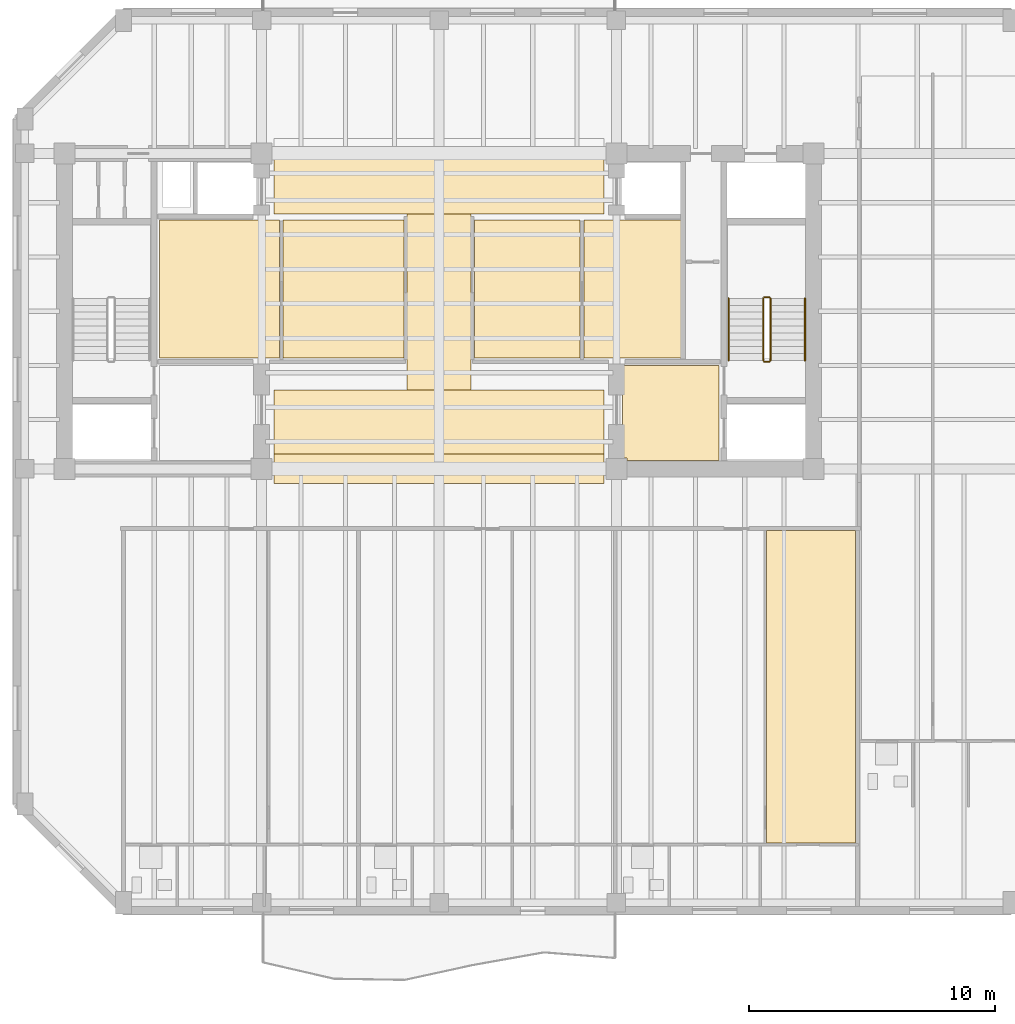
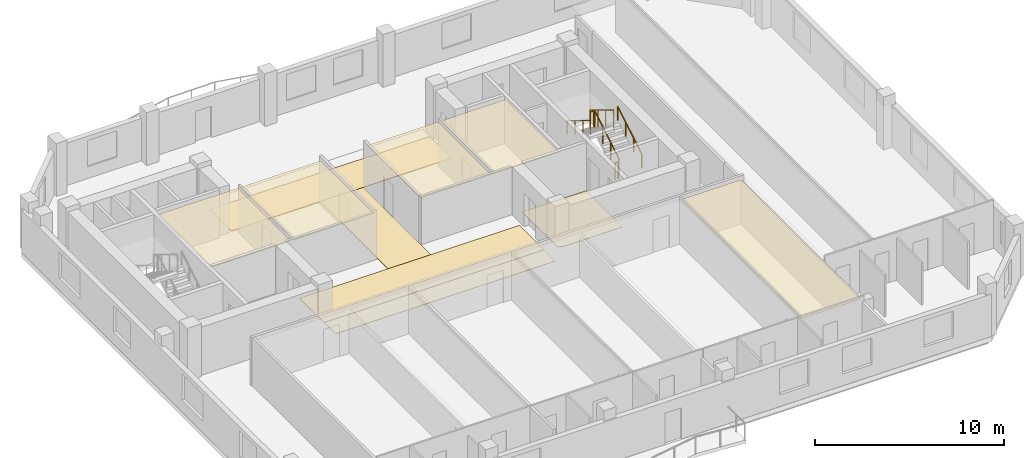
# One storey, part 7 of 9: 10 coverings, 6 railings.
"""IFC4 building model written with IfcOpenShell, lengths in metres."""

from ifc_helpers import new_model, si_unit, direction, frame, origin, origin_2d, place, context, subcontext, project, spatial, polyline, circle, outline, extrude, material, layer, layer_set, type_object, element, save


model = new_model("IFC4")

# Units and contexts
model_context = context("Model", 3, precision=1e-05, world=origin(), true_north=direction((0.0, 1.0)))
body_context = subcontext(model_context, "Body", "Model", "MODEL_VIEW")
ifc_project = project(units=[si_unit("LENGTHUNIT", "METRE"), si_unit("AREAUNIT", "SQUARE_METRE"), si_unit("VOLUMEUNIT", "CUBIC_METRE"), si_unit("PLANEANGLEUNIT", "RADIAN"), si_unit("MASSUNIT", "GRAM", prefix="KILO")], contexts=[model_context])

# Site, building, storey
site_placement = place(None, origin())
site = spatial("IfcSite", under=ifc_project, at=site_placement, CompositionType="ELEMENT")
building_placement = place(site_placement, origin())
building = spatial("IfcBuilding", under=site, at=building_placement, Name="Kranthara Brick Stack", CompositionType="ELEMENT")
storey_placement = place(building_placement, frame((0.0, 0.0, 231.300048828125)))
storey = spatial("IfcBuildingStorey", under=building, at=storey_placement, Name="L60", CompositionType="ELEMENT", Elevation=231.300048828125)

# Coverings
ifc_material_1 = material(Name="Perforated mineral-fibre acoustic ceiling tile", Category="other")
ifc_layer_1 = layer(ifc_material_1, 0.02490234375)
ifc_layer_set_1 = layer_set([ifc_layer_1], Name="Perforated mineral-fibre acoustic ceiling tile")
covering_type_1 = type_object("IfcCoveringType", Name="COV-CEIL-ACOUSTIC", PredefinedType="CEILING", material=ifc_layer_set_1)
covering_1_placement = place(storey_placement, frame((0.0, 0.0, 2.829833984375)))
element("IfcCovering", 1, at=covering_1_placement, inside=storey, type_object=covering_type_1, Name="L60 L60 Sky Club Archive Study Acoustic Ceiling", PredefinedType="CEILING", context=body_context, shape_type="SweptSolid", body=[
    extrude(outline(polyline([(21.52001953125, 25.300048828125), (21.52001953125, 30.89990234375), (16.64990234375, 30.89990234375), (16.64990234375, 25.300048828125), (21.52001953125, 25.300048828125)])), origin(), (0.0, 0.0, 1.0), 0.025146484375),
])
covering_2_placement = place(storey_placement, frame((0.0, 0.0, 2.829833984375)))
element("IfcCovering", 2, at=covering_2_placement, inside=storey, type_object=covering_type_1, Name="L60 L60 Sky Club Lounge Salon Acoustic Ceiling", PredefinedType="CEILING", context=body_context, shape_type="SweptSolid", body=[
    extrude(outline(polyline([(26.570068359375, 25.300048828125), (26.570068359375, 30.89990234375), (21.679931640625, 30.89990234375), (21.679931640625, 25.300048828125), (26.570068359375, 25.300048828125)])), origin(), (0.0, 0.0, 1.0), 0.025146484375),
])
covering_3_placement = place(storey_placement, frame((0.0, 0.0, 2.829833984375)))
element("IfcCovering", 3, at=covering_3_placement, inside=storey, type_object=covering_type_1, Name="L60 L60 Sky Club Sky Salon Acoustic Ceiling", PredefinedType="CEILING", context=body_context, shape_type="SweptSolid", body=[
    extrude(outline(polyline([(33.719970703125, 25.300048828125), (33.719970703125, 30.89990234375), (29.429931640625, 30.89990234375), (29.429931640625, 25.300048828125), (33.719970703125, 25.300048828125)])), origin(), (0.0, 0.0, 1.0), 0.025146484375),
])
covering_4_placement = place(storey_placement, frame((0.0, 0.0, 2.829833984375)))
element("IfcCovering", 4, at=covering_4_placement, inside=storey, type_object=covering_type_1, Name="L60 L60 Sky Club Wine Tasting Room Acoustic Ceiling", PredefinedType="CEILING", context=body_context, shape_type="SweptSolid", body=[
    extrude(outline(polyline([(37.8798828125, 25.300048828125), (37.8798828125, 30.89990234375), (33.8798828125, 30.89990234375), (33.8798828125, 25.300048828125), (37.8798828125, 25.300048828125)])), origin(), (0.0, 0.0, 1.0), 0.025146484375),
])
covering_5_placement = place(storey_placement, frame((0.0, 0.0, 2.829833984375)))
element("IfcCovering", 5, at=covering_5_placement, inside=storey, type_object=covering_type_1, Name="L60 Unit L60C Private Study Room Acoustic Ceiling", PredefinedType="CEILING", context=body_context, shape_type="SweptSolid", body=[
    extrude(outline(polyline([(44.89990234375, 5.6298828125), (44.89990234375, 18.300048828125), (41.277099609375, 18.300048828125), (41.277099609375, 5.6298828125), (44.89990234375, 5.6298828125)])), origin(), (0.0, 0.0, 1.0), 0.025146484375),
])
ifc_material_2 = material(Name="Honed terrazzo and porcelain floor finish", Category="stone")
ifc_layer_2 = layer(ifc_material_2, 0.030029296875)
ifc_layer_set_2 = layer_set([ifc_layer_2], Name="Honed terrazzo and porcelain floor finish")
covering_type_2 = type_object("IfcCoveringType", Name="COV-FLOR-STONE", PredefinedType="FLOORING", material=ifc_layer_set_2)
covering_6_placement = place(storey_placement, origin())
element("IfcCovering", 6, at=covering_6_placement, inside=storey, type_object=covering_type_2, Name="L60 Lift Lobby Stone Flooring", PredefinedType="FLOORING", context=body_context, shape_type="SweptSolid", body=[
    extrude(outline(polyline([(35.449951171875, 25.0), (39.35009765625, 25.0), (39.35009765625, 21.14990234375), (35.635009765625, 21.14990234375), (35.635009765625, 21.235107421875), (35.449951171875, 21.235107421875), (35.449951171875, 25.0)])), origin(), (0.0, 0.0, 1.0), 0.030029296875),
])
covering_7_placement = place(storey_placement, origin())
element("IfcCovering", 7, at=covering_7_placement, inside=storey, type_object=covering_type_2, Name="L60 Lift Lobby Stone Flooring", PredefinedType="FLOORING", context=body_context, shape_type="SweptSolid", body=[
    extrude(outline(polyline([(34.699951171875, 21.39990234375), (34.699951171875, 24.0), (21.300048828125, 24.0), (21.300048828125, 21.39990234375), (34.699951171875, 21.39990234375)])), origin(), (0.0, 0.0, 1.0), 0.030029296875),
])
covering_8_placement = place(storey_placement, origin())
element("IfcCovering", 8, at=covering_8_placement, inside=storey, type_object=covering_type_2, Name="L60 Lift Lobby Stone Flooring", PredefinedType="FLOORING", context=body_context, shape_type="SweptSolid", body=[
    extrude(outline(polyline([(34.699951171875, 31.14990234375), (34.699951171875, 33.449951171875), (21.300048828125, 33.449951171875), (21.300048828125, 31.14990234375), (34.699951171875, 31.14990234375)])), origin(), (0.0, 0.0, 1.0), 0.030029296875),
])
covering_9_placement = place(storey_placement, origin())
element("IfcCovering", 9, at=covering_9_placement, inside=storey, type_object=covering_type_2, Name="L60 Lift Lobby Stone Flooring", PredefinedType="FLOORING", context=body_context, shape_type="SweptSolid", body=[
    extrude(outline(polyline([(29.300048828125, 24.0), (26.699951171875, 24.0), (26.699951171875, 31.14990234375), (29.300048828125, 31.14990234375), (29.300048828125, 24.0)])), origin(), (0.0, 0.0, 1.0), 0.030029296875),
])
covering_10_placement = place(storey_placement, origin())
element("IfcCovering", 10, at=covering_10_placement, inside=storey, type_object=covering_type_2, Name="L60 Lift Lobby Stone Flooring", PredefinedType="FLOORING", context=body_context, shape_type="SweptSolid", body=[
    extrude(outline(polyline([(34.699951171875, 20.199951171875), (21.300048828125, 20.199951171875), (21.300048828125, 21.39990234375), (34.699951171875, 21.39990234375), (34.699951171875, 20.199951171875)])), origin(), (0.0, 0.0, 1.0), 0.030029296875),
])

# Railings
ifc_material_3 = material(Name="Painted galvanized steel stair guardrail", Category="steel")
railing_type_1 = type_object("IfcRailingType", Name="RL-STAIR-GUARD-1100", PredefinedType="GUARDRAIL", material=ifc_material_3)
railing_1_placement = place(storey_placement, frame((41.449951171875, 25.199951171875, 0.169921875)))
element("IfcRailing", 11, at=railing_1_placement, inside=storey, type_object=railing_type_1, Name="L60 ST02 stair guard 1", PredefinedType="GUARDRAIL", context=body_context, shape_type="SweptSolid", body=[
    extrude(circle(Radius=0.02392578125, at=origin_2d()), frame((0.0, 0.0, 1.076171875), z_axis=(0.0, 0.85478489116, 0.518982456201), x_axis=(-1.0, 0.0, 0.0)), (0.0, 0.0, 1.0), 2.9482421875),
    extrude(circle(Radius=0.02099609375, at=origin_2d()), origin(), (0.0, 0.0, 1.0), 1.052001953125),
    extrude(circle(Radius=0.02099609375, at=origin_2d()), frame((0.0, 0.840087890625, 0.510009765625)), (0.0, 0.0, 1.0), 1.052001953125),
    extrude(circle(Radius=0.02099609375, at=origin_2d()), frame((0.0, 1.679931640625, 1.02001953125)), (0.0, 0.0, 1.0), 1.052001953125),
    extrude(circle(Radius=0.02099609375, at=origin_2d()), frame((0.0, 2.52001953125, 1.530029296875)), (0.0, 0.0, 1.0), 1.052001953125),
])
railing_2_placement = place(storey_placement, frame((41.39990234375, 27.77001953125, 1.699951171875)))
element("IfcRailing", 12, at=railing_2_placement, inside=storey, type_object=railing_type_1, Name="L60 ST02 stair guard 2", PredefinedType="GUARDRAIL", context=body_context, shape_type="SweptSolid", body=[
    extrude(circle(Radius=0.02392578125, at=origin_2d()), frame((0.0, 0.0, 1.076171875), z_axis=(-1.0, 0.0, 0.0), x_axis=(0.0, -1.0, 0.0)), (0.0, 0.0, 1.0), 0.199951171875),
    extrude(circle(Radius=0.02099609375, at=origin_2d()), origin(), (0.0, 0.0, 1.0), 1.052001953125),
    extrude(circle(Radius=0.02099609375, at=origin_2d()), frame((-0.199951171875, 0.0, 0.0)), (0.0, 0.0, 1.0), 1.052001953125),
])
railing_3_placement = place(storey_placement, frame((41.14990234375, 27.719970703125, 1.869873046875)))
element("IfcRailing", 13, at=railing_3_placement, inside=storey, type_object=railing_type_1, Name="L60 ST02 stair guard 3", PredefinedType="GUARDRAIL", context=body_context, shape_type="SweptSolid", body=[
    extrude(circle(Radius=0.02392578125, at=origin_2d()), frame((0.0, 0.0, 1.076171875), z_axis=(0.0, -0.85478489116, 0.518982456201), x_axis=(1.0, 0.0, 0.0)), (0.0, 0.0, 1.0), 2.9482421875),
    extrude(circle(Radius=0.02099609375, at=origin_2d()), origin(), (0.0, 0.0, 1.0), 1.052001953125),
    extrude(circle(Radius=0.02099609375, at=origin_2d()), frame((0.0, -0.840087890625, 0.510009765625)), (0.0, 0.0, 1.0), 1.052001953125),
    extrude(circle(Radius=0.02099609375, at=origin_2d()), frame((0.0, -1.679931640625, 1.02001953125)), (0.0, 0.0, 1.0), 1.052001953125),
    extrude(circle(Radius=0.02099609375, at=origin_2d()), frame((0.0, -2.52001953125, 1.530029296875)), (0.0, 0.0, 1.0), 1.052001953125),
])
railing_4_placement = place(storey_placement, frame((41.39990234375, 25.14990234375, 0.0)))
element("IfcRailing", 14, at=railing_4_placement, inside=storey, type_object=railing_type_1, Name="L60 ST02 stair guard 4", PredefinedType="GUARDRAIL", context=body_context, shape_type="SweptSolid", body=[
    extrude(circle(Radius=0.02392578125, at=origin_2d()), frame((0.0, 0.0, 1.076171875), z_axis=(-1.0, 0.0, 0.0), x_axis=(0.0, -1.0, 0.0)), (0.0, 0.0, 1.0), 0.199951171875),
    extrude(circle(Radius=0.02099609375, at=origin_2d()), origin(), (0.0, 0.0, 1.0), 1.052001953125),
    extrude(circle(Radius=0.02099609375, at=origin_2d()), frame((-0.199951171875, 0.0, 0.0)), (0.0, 0.0, 1.0), 1.052001953125),
])
ifc_material_4 = material(Name="Brushed stainless steel tubular handrail", Category="steel")
railing_type_2 = type_object("IfcRailingType", Name="RL-STAIR-HAND-900", PredefinedType="HANDRAIL", material=ifc_material_4)
railing_5_placement = place(storey_placement, frame((42.85009765625, 25.199951171875, 0.169921875)))
element("IfcRailing", 15, at=railing_5_placement, inside=storey, type_object=railing_type_2, Name="L60 ST02 stair handrail 1", PredefinedType="HANDRAIL", context=body_context, shape_type="SweptSolid", body=[
    extrude(circle(Radius=0.02392578125, at=origin_2d()), frame((0.0, 0.0, 0.8759765625), z_axis=(0.0, 0.85478489116, 0.518982456201), x_axis=(-1.0, 0.0, 0.0)), (0.0, 0.0, 1.0), 2.9482421875),
    extrude(circle(Radius=0.02099609375, at=origin_2d()), origin(), (0.0, 0.0, 1.0), 0.851806640625),
    extrude(circle(Radius=0.02099609375, at=origin_2d()), frame((0.0, 0.840087890625, 0.510009765625)), (0.0, 0.0, 1.0), 0.851806640625),
    extrude(circle(Radius=0.02099609375, at=origin_2d()), frame((0.0, 1.679931640625, 1.02001953125)), (0.0, 0.0, 1.0), 0.851806640625),
    extrude(circle(Radius=0.02099609375, at=origin_2d()), frame((0.0, 2.52001953125, 1.530029296875)), (0.0, 0.0, 1.0), 0.851806640625),
])
railing_6_placement = place(storey_placement, frame((39.75, 27.719970703125, 1.869873046875)))
element("IfcRailing", 16, at=railing_6_placement, inside=storey, type_object=railing_type_2, Name="L60 ST02 stair handrail 2", PredefinedType="HANDRAIL", context=body_context, shape_type="SweptSolid", body=[
    extrude(circle(Radius=0.02392578125, at=origin_2d()), frame((0.0, 0.0, 0.8759765625), z_axis=(0.0, -0.85478489116, 0.518982456201), x_axis=(1.0, 0.0, 0.0)), (0.0, 0.0, 1.0), 2.9482421875),
    extrude(circle(Radius=0.02099609375, at=origin_2d()), origin(), (0.0, 0.0, 1.0), 0.851806640625),
    extrude(circle(Radius=0.02099609375, at=origin_2d()), frame((0.0, -0.840087890625, 0.510009765625)), (0.0, 0.0, 1.0), 0.851806640625),
    extrude(circle(Radius=0.02099609375, at=origin_2d()), frame((0.0, -1.679931640625, 1.02001953125)), (0.0, 0.0, 1.0), 0.851806640625),
    extrude(circle(Radius=0.02099609375, at=origin_2d()), frame((0.0, -2.52001953125, 1.530029296875)), (0.0, 0.0, 1.0), 0.851806640625),
])

save(model, "model.ifc")
